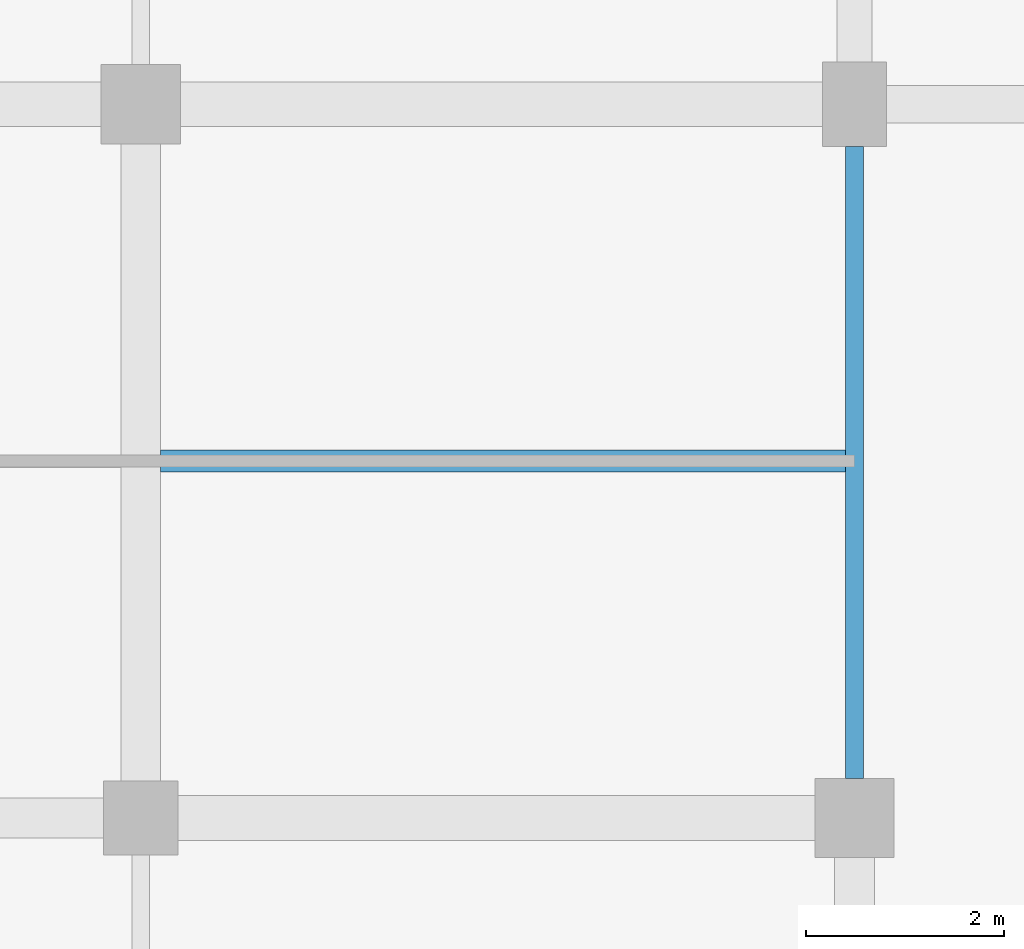
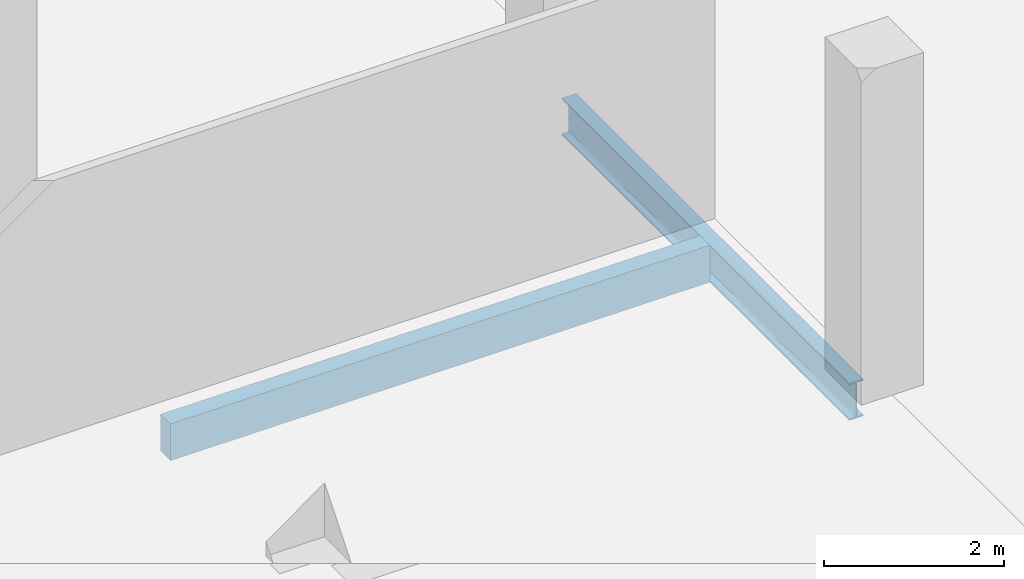
# One storey, part 23 of 134: 2 beams.
"""IFC4 building model written with IfcOpenShell, lengths in metres."""

from ifc_helpers import new_model, si_unit, direction, frame, origin, origin_2d, place, context, subcontext, project, spatial, rectangle, i_section, extrude, material, material_profile, profile_set, type_object, element, save


model = new_model("IFC4")

# Units and contexts
model_context = context("Model", 3, precision=1e-05, world=origin(), true_north=direction((0.0, 1.0)))
body_context = subcontext(model_context, "Body", "Model", "MODEL_VIEW")
ifc_project = project(units=[si_unit("LENGTHUNIT", "METRE"), si_unit("AREAUNIT", "SQUARE_METRE"), si_unit("VOLUMEUNIT", "CUBIC_METRE"), si_unit("PLANEANGLEUNIT", "RADIAN"), si_unit("MASSUNIT", "GRAM", prefix="KILO")], contexts=[model_context])

# Site, building, storey
site_placement = place(None, origin())
site = spatial("IfcSite", under=ifc_project, at=site_placement, CompositionType="ELEMENT")
building_placement = place(site_placement, origin())
building = spatial("IfcBuilding", under=site, at=building_placement, Name="Kalluvel Institute of Natural Sciences", CompositionType="ELEMENT")
storey_placement = place(building_placement, frame((0.0, 0.0, 5.39990234375)))
storey = spatial("IfcBuildingStorey", under=building, at=storey_placement, Name="L01", CompositionType="ELEMENT", Elevation=5.39990234375)

# Beams
ifc_material_1 = material(Name="Steel E350 Grade 350", Category="steel")
ifc_material_profile_1 = material_profile(ifc_material_1, i_section(OverallWidth=0.179931640625, OverallDepth=0.5, WebThickness=0.01025390625, FlangeThickness=0.01708984375, FilletRadius=0.01708984375, at=origin_2d()), Name="ISMB 500")
ifc_profile_set_1 = profile_set([ifc_material_profile_1], Name="Steel E350 Grade 350")
beam_type_1 = type_object("IfcBeamType", Name="BM-ISMB500", PredefinedType="BEAM", material=ifc_profile_set_1)
beam_1_placement = place(storey_placement, frame((35.60009765625, 57.60009765625, -0.5498046875), z_axis=(0.0, 1.0, 0.0), x_axis=(-1.0, 0.0, 0.0)))
element("IfcBeam", 1, at=beam_1_placement, inside=storey, type_object=beam_type_1, Name="L01 girder GIR-L01-NS-X356-Y572", PredefinedType="BEAM", context=body_context, shape_type="SweptSolid", body=[
    extrude(i_section(OverallWidth=0.179931640625, OverallDepth=0.5, WebThickness=0.01025390625, FlangeThickness=0.01708984375, FilletRadius=0.01708984375, at=origin_2d()), origin(), (0.0, 0.0, 1.0), 6.375),
])
ifc_material_2 = material(Name="Concrete M40", Category="concrete")
ifc_material_profile_2 = material_profile(ifc_material_2, rectangle(XDim=0.219970703125, YDim=0.5, at=origin_2d()), Name="WAF 220x500")
ifc_profile_set_2 = profile_set([ifc_material_profile_2], Name="Concrete M40")
beam_type_2 = type_object("IfcBeamType", Name="WJ-220x500", PredefinedType="JOIST", material=ifc_profile_set_2)
beam_2_placement = place(storey_placement, frame((28.60009765625, 60.800048828125, -0.5498046875), z_axis=(1.0, 0.0, 0.0), x_axis=(0.0, 1.0, 0.0)))
element("IfcBeam", 2, at=beam_2_placement, inside=storey, type_object=beam_type_2, Name="L01 floor rib RIB-L01-0643", PredefinedType="JOIST", context=body_context, shape_type="SweptSolid", body=[
    extrude(rectangle(XDim=0.219970703125, YDim=0.5, at=origin_2d()), origin(), (0.0, 0.0, 1.0), 6.909912109375),
])

save(model, "model.ifc")
